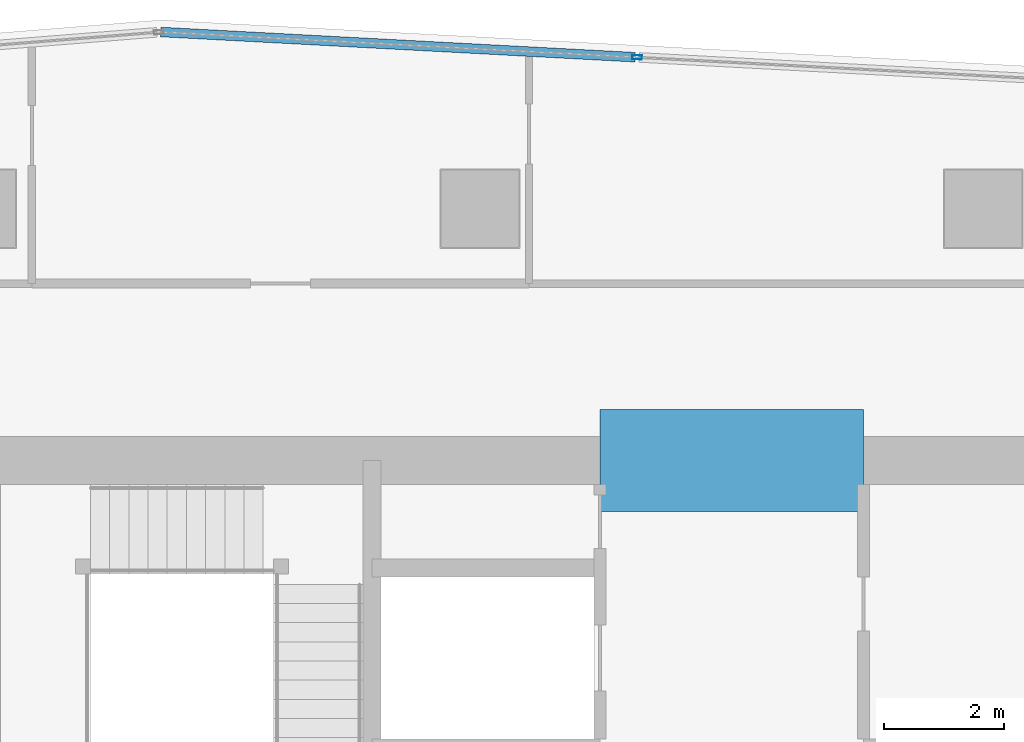
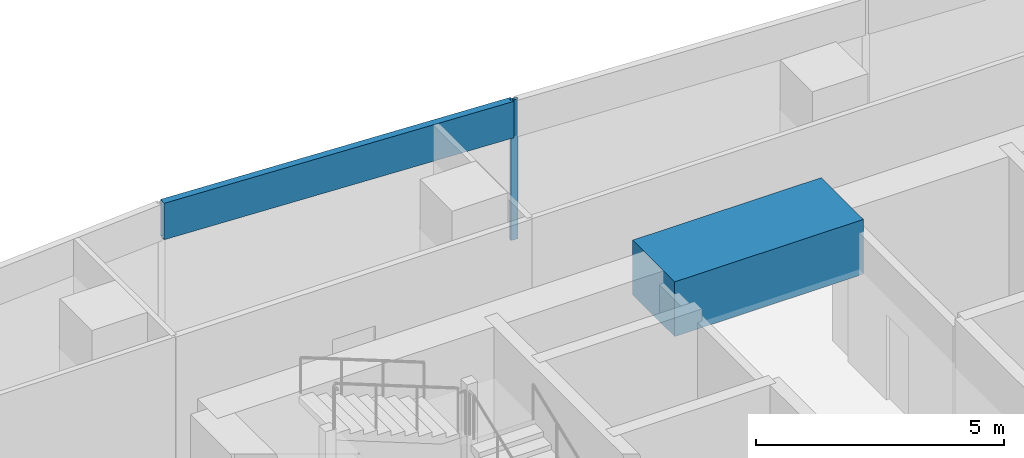
# One storey, part 17 of 30: 2 members, 1 beam, 1 element without a shape of its own.
"""IFC4 building model written with IfcOpenShell, lengths in metres."""

from ifc_helpers import new_model, si_unit, direction, frame, origin, origin_2d, place, context, subcontext, project, spatial, rectangle, hollow_rectangle, extrude, material, material_profile, profile_set, type_object, element, aggregate, save


model = new_model("IFC4")

# Units and contexts
model_context = context("Model", 3, precision=1e-05, world=origin(), true_north=direction((0.0, 1.0)))
body_context = subcontext(model_context, "Body", "Model", "MODEL_VIEW")
ifc_project = project(units=[si_unit("LENGTHUNIT", "METRE"), si_unit("AREAUNIT", "SQUARE_METRE"), si_unit("VOLUMEUNIT", "CUBIC_METRE"), si_unit("PLANEANGLEUNIT", "RADIAN"), si_unit("MASSUNIT", "GRAM", prefix="KILO")], contexts=[model_context])

# Site, building, storey
site_placement = place(None, origin())
site = spatial("IfcSite", under=ifc_project, at=site_placement, CompositionType="ELEMENT")
building_placement = place(site_placement, origin())
building = spatial("IfcBuilding", under=site, at=building_placement, Name="Rekha Terrace Tower", CompositionType="ELEMENT")
storey_placement = place(building_placement, frame((0.0, 0.0, 287.60009765625)))
storey = spatial("IfcBuildingStorey", under=building, at=storey_placement, Name="L73", CompositionType="ELEMENT", Elevation=287.60009765625)

# Curtain wall, members
ifc_material_1 = material(Name="Aluminium framing", Category="aluminium")
curtain_wall_type = type_object("IfcCurtainWallType", Name="CW3 north unitised glazing", PredefinedType="USERDEFINED", material=ifc_material_1)
curtain_wall_placement = place(storey_placement, origin())
curtain_wall = element("IfcCurtainWall", 1, at=curtain_wall_placement, inside=storey, type_object=curtain_wall_type, Name="CW3 unitised curtain wall", ObjectType="UNITISED CURTAIN WALL", PredefinedType="USERDEFINED")
ifc_material_2 = material(Name="Aluminium mullion section", Category="aluminium")
ifc_material_profile_1 = material_profile(ifc_material_2, hollow_rectangle(XDim=0.070068359375, YDim=0.159912109375, WallThickness=0.00390625, at=origin_2d()), Name="AL RHS 70x160")
ifc_profile_set_1 = profile_set([ifc_material_profile_1], Name="Aluminium mullion section")
member_type_1 = type_object("IfcMemberType", Name="CW3 mullion RHS 70 x 160", PredefinedType="MULLION", material=ifc_profile_set_1)
member_1_placement = place(storey_placement, frame((36.22265625, 52.927001953125, 0.0), z_axis=(0.0, 0.0, 1.0), x_axis=(-0.053083275524, -0.998590089005, 0.0)))
member_1 = element("IfcMember", 2, at=member_1_placement, type_object=member_type_1, Name="CW3 mullion 4", PredefinedType="MULLION", context=body_context, shape_type="SweptSolid", body=[
    extrude(hollow_rectangle(XDim=0.070068359375, YDim=0.159912109375, WallThickness=0.00390625, at=origin_2d()), origin(), (0.0, 0.0, 1.0), 3.449951171875),
])
ifc_material_3 = material(Name="Insulated aluminium spandrel box", Category="aluminium")
ifc_material_profile_2 = material_profile(ifc_material_3, hollow_rectangle(XDim=0.159912109375, YDim=0.89990234375, WallThickness=0.0029296875, at=origin_2d()), Name="AL SPANDREL BOX 160x900")
ifc_profile_set_2 = profile_set([ifc_material_profile_2], Name="Insulated aluminium spandrel box")
member_type_2 = type_object("IfcMemberType", Name="CW3 spandrel transom 160 x 900", PredefinedType="USERDEFINED", material=ifc_profile_set_2)
member_2_placement = place(storey_placement, frame((36.187744140625, 52.9287109375, 3.0), z_axis=(-0.998589092231, 0.053102023288, 0.0), x_axis=(-0.053102023288, -0.998589092231, 0.0)))
member_2 = element("IfcMember", 3, at=member_2_placement, type_object=member_type_2, Name="CW3 spandrel transom 4", ObjectType="TRANSOM", PredefinedType="USERDEFINED", context=body_context, shape_type="SweptSolid", body=[
    extrude(hollow_rectangle(XDim=0.159912109375, YDim=0.89990234375, WallThickness=0.0029296875, at=origin_2d()), origin(), (0.0, 0.0, 1.0), 7.92626953125),
])
aggregate(curtain_wall, [member_1, member_2])

# Beam
ifc_material_4 = material(Name="Concrete M60", Category="concrete")
ifc_material_profile_3 = material_profile(ifc_material_4, rectangle(XDim=1.699951171875, YDim=1.35009765625, at=origin_2d()), Name="RC 1700x1350")
ifc_profile_set_3 = profile_set([ifc_material_profile_3], Name="Concrete M60")
beam_type = type_object("IfcBeamType", Name="LB5A 1700x1350 diagonally reinforced coupling beam", PredefinedType="LINTEL", material=ifc_profile_set_3)
beam_placement = place(storey_placement, frame((35.60009765625, 46.199951171875, 3.074951171875), z_axis=(1.0, 0.0, 0.0), x_axis=(0.0, 1.0, 0.0)))
element("IfcBeam", 4, at=beam_placement, inside=storey, type_object=beam_type, Name="Coupling beam LB5A N L73", PredefinedType="LINTEL", context=body_context, shape_type="SweptSolid", body=[
    extrude(rectangle(XDim=1.699951171875, YDim=1.35009765625, at=origin_2d()), origin(), (0.0, 0.0, 1.0), 4.39990234375),
])

save(model, "model.ifc")
